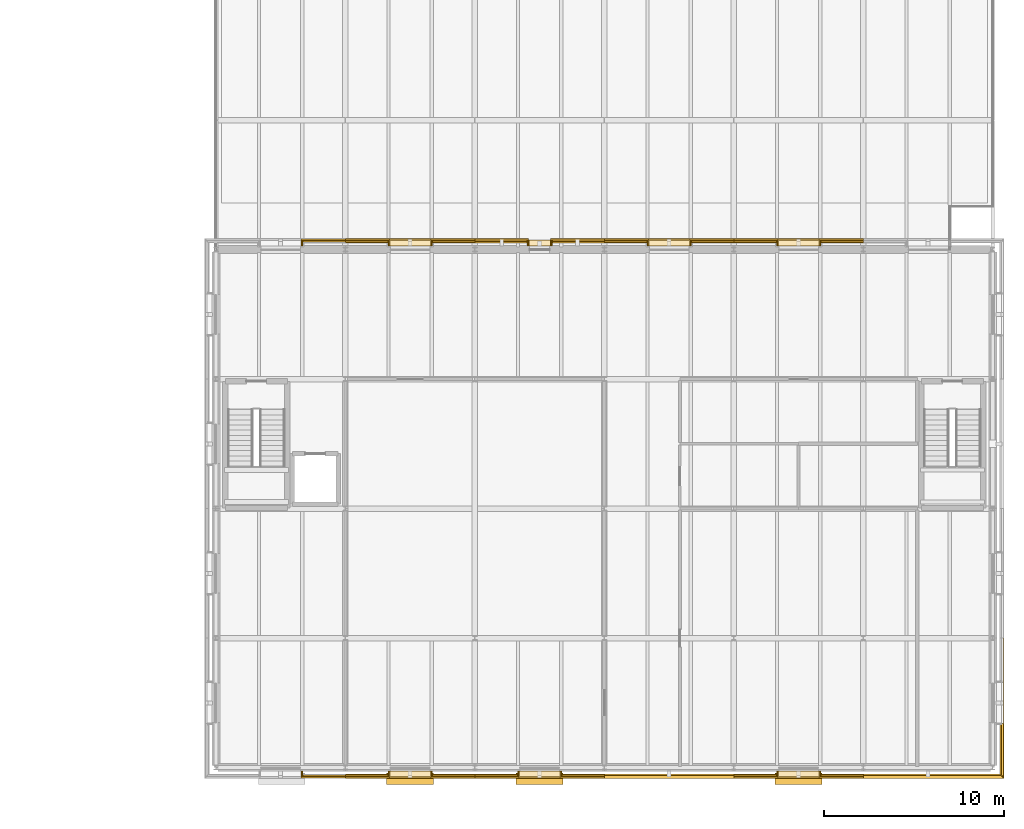
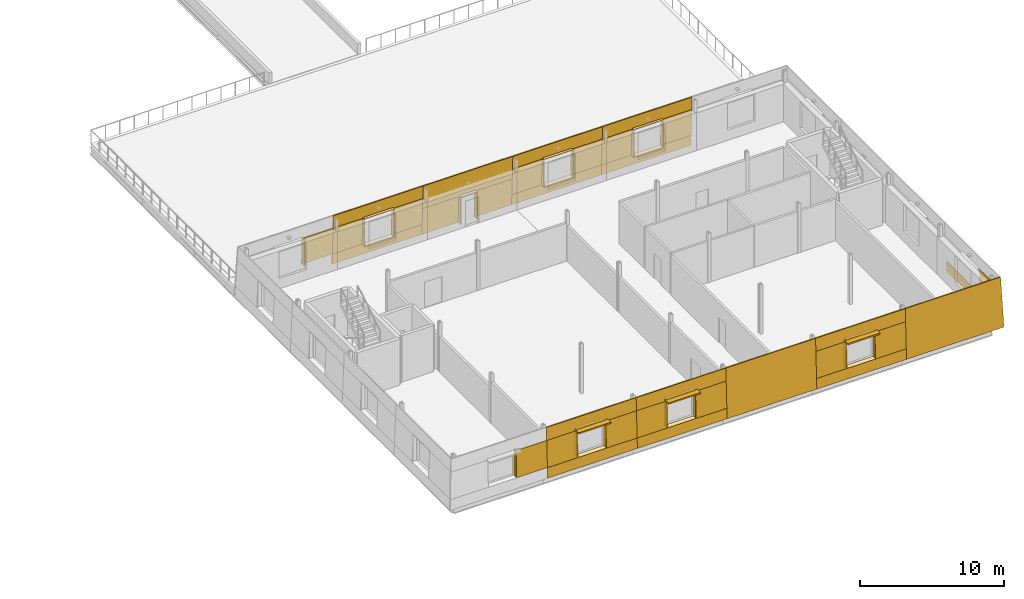
# One storey, part 109 of 115: 62 coverings, 3 shading devices.
"""IFC4 building model written with IfcOpenShell, lengths in metres."""

from ifc_helpers import new_model, si_unit, direction, frame, origin, origin_2d, place, context, subcontext, project, spatial, polyline, rectangle, outline, extrude, material, layer, layer_set, type_object, element, save


model = new_model("IFC4")

# Units and contexts
model_context = context("Model", 3, precision=1e-05, world=origin(), true_north=direction((0.0, 1.0)))
body_context = subcontext(model_context, "Body", "Model", "MODEL_VIEW")
ifc_project = project(units=[si_unit("LENGTHUNIT", "METRE"), si_unit("AREAUNIT", "SQUARE_METRE"), si_unit("VOLUMEUNIT", "CUBIC_METRE"), si_unit("PLANEANGLEUNIT", "RADIAN"), si_unit("MASSUNIT", "GRAM", prefix="KILO")], contexts=[model_context])

# Site, building, storey
site_placement = place(None, origin())
site = spatial("IfcSite", under=ifc_project, at=site_placement, CompositionType="ELEMENT")
building_placement = place(site_placement, origin())
building = spatial("IfcBuilding", under=site, at=building_placement, Name="Narikvali Park Central Library", CompositionType="ELEMENT")
storey_placement = place(building_placement, frame((0.0, 0.0, 10.199951171875)))
storey = spatial("IfcBuildingStorey", under=building, at=storey_placement, Name="L02", CompositionType="ELEMENT", Elevation=10.199951171875)

# Coverings
ifc_material_1 = material(Name="White Honed Limestone Cladding", Category="masonry")
ifc_layer_1 = layer(ifc_material_1, 0.0849609375, Name="White Honed Limestone Cladding")
ifc_layer_set_1 = layer_set([ifc_layer_1], Name="White Honed Limestone Cladding")
covering_type_1 = type_object("IfcCoveringType", Name="Battered White Limestone Facade Cladding Panel", PredefinedType="CLADDING", material=ifc_layer_set_1)
covering_1_placement = place(storey_placement, frame((127.139892578125, -0.5869140625, 0.8701171875), z_axis=(0.0, -0.999164352475, 0.040872934124), x_axis=(1.0, 0.0, 0.0)))
element("IfcCovering", 1, at=covering_1_placement, inside=storey, type_object=covering_type_1, Name="V6 L02 S Battered Limestone Jamb Pier R B01", PredefinedType="CLADDING", context=body_context, shape_type="SweptSolid", body=[
    extrude(outline(polyline([(0.0, 0.0), (2.460205078125, 0.0), (2.460205078125, 2.2518817794363186), (0.0, 2.2518817794363186), (0.0, 0.0)])), origin(), (0.0, 0.0, -1.0), 0.0849609375),
])
covering_2_placement = place(storey_placement, frame((129.60009765625, -0.62255859375, 0.0), z_axis=(0.0, -0.999161980475, 0.040930877988), x_axis=(1.0, 0.0, 0.0)))
element("IfcCovering", 2, at=covering_2_placement, inside=storey, type_object=covering_type_1, Name="V6 L02 S Battered Limestone Spandrel B02", PredefinedType="CLADDING", context=body_context, shape_type="SweptSolid", body=[
    extrude(outline(polyline([(0.0, 0.0), (7.199951171875, 0.0), (7.199951171875, 0.8708469742675473), (0.0, 0.8708469742675473), (0.0, 0.0)])), origin(), (0.0, 0.0, -1.0), 0.0849609375),
])
covering_3_placement = place(storey_placement, frame((129.60009765625, -0.494873046875, 3.1201171875), z_axis=(0.0, -0.99916372671, 0.040888228473), x_axis=(1.0, 0.0, 0.0)))
element("IfcCovering", 3, at=covering_3_placement, inside=storey, type_object=covering_type_1, Name="V6 L02 S Battered Limestone Lintel B02", PredefinedType="CLADDING", context=body_context, shape_type="SweptSolid", body=[
    extrude(outline(polyline([(0.0, 0.0), (7.199951171875, 0.0), (7.199951171875, 1.0807377765113397), (0.0, 1.0807377765113397), (0.0, 0.0)])), origin(), (0.0, 0.0, -1.0), 0.0849609375),
])
for number, where, z_axis, x_axis, name in (
    (4, (129.60009765625, -0.5869140625, 0.8701171875), (0.0, -0.999164352475, 0.040872934124), (1.0, 0.0, 0.0), "V6 L02 S Battered Limestone Jamb Pier L B02"),
    (5, (134.340087890625, -0.5869140625, 0.8701171875), (0.0, -0.999164352475, 0.040872934124), (1.0, 0.0, 0.0), "V6 L02 S Battered Limestone Jamb Pier R B02"),
):
    element("IfcCovering", number, at=place(storey_placement, frame(where, z_axis=z_axis, x_axis=x_axis)), inside=storey, type_object=covering_type_1, Name=name, PredefinedType="CLADDING", context=body_context, shape_type="SweptSolid", body=[
        extrude(outline(polyline([(0.0, 0.0), (2.4599609375, 0.0), (2.4599609375, 2.251881779436319), (0.0, 2.251881779436319), (0.0, 0.0)])), origin(), (0.0, 0.0, -1.0), 0.0849609375),
    ])
covering_4_placement = place(storey_placement, frame((136.800048828125, -0.62255859375, 0.0), z_axis=(0.0, -0.999161980475, 0.040930877988), x_axis=(1.0, 0.0, 0.0)))
element("IfcCovering", 6, at=covering_4_placement, inside=storey, type_object=covering_type_1, Name="V6 L02 S Battered Limestone Spandrel B03", PredefinedType="CLADDING", context=body_context, shape_type="SweptSolid", body=[
    extrude(outline(polyline([(0.0, 0.0), (7.199951171875, 0.0), (7.199951171875, 0.8708469742675473), (0.0, 0.8708469742675473), (0.0, 0.0)])), origin(), (0.0, 0.0, -1.0), 0.0849609375),
])
covering_5_placement = place(storey_placement, frame((136.800048828125, -0.494873046875, 3.1201171875), z_axis=(0.0, -0.99916372671, 0.040888228473), x_axis=(1.0, 0.0, 0.0)))
element("IfcCovering", 7, at=covering_5_placement, inside=storey, type_object=covering_type_1, Name="V6 L02 S Battered Limestone Lintel B03", PredefinedType="CLADDING", context=body_context, shape_type="SweptSolid", body=[
    extrude(outline(polyline([(0.0, 0.0), (7.199951171875, 0.0), (7.199951171875, 1.0807377765113397), (0.0, 1.0807377765113397), (0.0, 0.0)])), origin(), (0.0, 0.0, -1.0), 0.0849609375),
])
for number, where, z_axis, x_axis, name in (
    (8, (136.800048828125, -0.5869140625, 0.8701171875), (0.0, -0.999164352475, 0.040872934124), (1.0, 0.0, 0.0), "V6 L02 S Battered Limestone Jamb Pier L B03"),
    (9, (141.5400390625, -0.5869140625, 0.8701171875), (0.0, -0.999164352475, 0.040872934124), (1.0, 0.0, 0.0), "V6 L02 S Battered Limestone Jamb Pier R B03"),
):
    element("IfcCovering", number, at=place(storey_placement, frame(where, z_axis=z_axis, x_axis=x_axis)), inside=storey, type_object=covering_type_1, Name=name, PredefinedType="CLADDING", context=body_context, shape_type="SweptSolid", body=[
        extrude(outline(polyline([(0.0, 0.0), (2.4599609375, 0.0), (2.4599609375, 2.251881779436319), (0.0, 2.251881779436319), (0.0, 0.0)])), origin(), (0.0, 0.0, -1.0), 0.0849609375),
    ])
covering_6_placement = place(storey_placement, frame((144.0, -0.62255859375, 0.0), z_axis=(0.0, -0.999163700422, 0.040888870842), x_axis=(1.0, 0.0, 0.0)))
element("IfcCovering", 10, at=covering_6_placement, inside=storey, type_object=covering_type_1, Name="V6 L02 S Battered Limestone Panel B04", PredefinedType="CLADDING", context=body_context, shape_type="SweptSolid", body=[
    extrude(outline(polyline([(0.0, 0.0), (7.199951171875, 0.0), (7.199951171875, 4.203466529158902), (0.0, 4.203466529158902), (0.0, 0.0)])), origin(), (0.0, 0.0, -1.0), 0.0849609375),
])
covering_7_placement = place(storey_placement, frame((151.199951171875, -0.62255859375, 0.0), z_axis=(0.0, -0.999161980475, 0.040930877988), x_axis=(1.0, 0.0, 0.0)))
element("IfcCovering", 11, at=covering_7_placement, inside=storey, type_object=covering_type_1, Name="V6 L02 S Battered Limestone Spandrel B05", PredefinedType="CLADDING", context=body_context, shape_type="SweptSolid", body=[
    extrude(outline(polyline([(0.0, 0.0), (7.199951171875, 0.0), (7.199951171875, 0.8708469742675473), (0.0, 0.8708469742675473), (0.0, 0.0)])), origin(), (0.0, 0.0, -1.0), 0.0849609375),
])
covering_8_placement = place(storey_placement, frame((151.199951171875, -0.494873046875, 3.1201171875), z_axis=(0.0, -0.99916372671, 0.040888228473), x_axis=(1.0, 0.0, 0.0)))
element("IfcCovering", 12, at=covering_8_placement, inside=storey, type_object=covering_type_1, Name="V6 L02 S Battered Limestone Lintel B05", PredefinedType="CLADDING", context=body_context, shape_type="SweptSolid", body=[
    extrude(outline(polyline([(0.0, 0.0), (7.199951171875, 0.0), (7.199951171875, 1.0807377765113397), (0.0, 1.0807377765113397), (0.0, 0.0)])), origin(), (0.0, 0.0, -1.0), 0.0849609375),
])
for number, where, z_axis, x_axis, name in (
    (13, (151.199951171875, -0.5869140625, 0.8701171875), (0.0, -0.999164352475, 0.040872934124), (1.0, 0.0, 0.0), "V6 L02 S Battered Limestone Jamb Pier L B05"),
    (14, (155.93994140625, -0.5869140625, 0.8701171875), (0.0, -0.999164352475, 0.040872934124), (1.0, 0.0, 0.0), "V6 L02 S Battered Limestone Jamb Pier R B05"),
):
    element("IfcCovering", number, at=place(storey_placement, frame(where, z_axis=z_axis, x_axis=x_axis)), inside=storey, type_object=covering_type_1, Name=name, PredefinedType="CLADDING", context=body_context, shape_type="SweptSolid", body=[
        extrude(outline(polyline([(0.0, 0.0), (2.4599609375, 0.0), (2.4599609375, 2.251881779436319), (0.0, 2.251881779436319), (0.0, 0.0)])), origin(), (0.0, 0.0, -1.0), 0.0849609375),
    ])
covering_9_placement = place(storey_placement, frame((158.39990234375, -0.62255859375, 0.0), z_axis=(0.0, -0.999163700422, 0.040888870842), x_axis=(1.0, 0.0, 0.0)))
element("IfcCovering", 15, at=covering_9_placement, inside=storey, type_object=covering_type_1, Name="V6 L02 S Battered Limestone Panel B06", PredefinedType="CLADDING", context=body_context, shape_type="SweptSolid", body=[
    extrude(outline(polyline([(0.0, 0.0), (7.82275390625, 0.0), (7.65087890625, 4.203466529158903), (0.0, 4.203466529158903), (0.0, 0.0)])), origin(), (0.0, 0.0, -1.0), 0.0849609375),
])
covering_10_placement = place(storey_placement, frame((166.22265625, -0.53759765625, 0.0), z_axis=(0.999161980475, 0.0, 0.040930877988), x_axis=(0.0, 1.0, 0.0)))
element("IfcCovering", 16, at=covering_10_placement, inside=storey, type_object=covering_type_1, Name="V6 L02 E Battered Limestone Spandrel B01", PredefinedType="CLADDING", context=body_context, shape_type="SweptSolid", body=[
    extrude(outline(polyline([(0.0, 0.0), (7.737548828125, 0.0), (7.737548828125, 0.8708469742675473), (0.03564453125, 0.8708469742675473), (0.0, 0.0)])), origin(), (0.0, 0.0, -1.0), 0.0849609375),
])
covering_11_placement = place(storey_placement, frame((166.18701171875, -0.501953125, 0.8701171875), z_axis=(0.999164352475, 0.0, 0.040872934124), x_axis=(0.0, 1.0, 0.0)))
element("IfcCovering", 17, at=covering_11_placement, inside=storey, type_object=covering_type_1, Name="V6 L02 E Battered Limestone Jamb Pier L B01", PredefinedType="CLADDING", context=body_context, shape_type="SweptSolid", body=[
    extrude(outline(polyline([(0.0, 0.0), (2.9619140625, 0.0), (2.9619140625, 2.251881779436319), (0.092041015625, 2.251881779436319), (0.0, 0.0)])), origin(), (0.0, 0.0, -1.0), 0.0849609375),
])
covering_12_placement = place(storey_placement, frame((158.39990234375, 29.422607421875, 0.0), z_axis=(0.0, 0.999161980475, 0.040930877988), x_axis=(-1.0, 0.0, 0.0)))
element("IfcCovering", 18, at=covering_12_placement, inside=storey, type_object=covering_type_1, Name="V6 L02 N Battered Limestone Spandrel B02", PredefinedType="CLADDING", context=body_context, shape_type="SweptSolid", body=[
    extrude(outline(polyline([(0.0, 0.0), (7.199951171875, 0.0), (7.199951171875, 0.8708469742675473), (0.0, 0.8708469742675473), (0.0, 0.0)])), origin(), (0.0, 0.0, -1.0), 0.0849609375),
])
covering_13_placement = place(storey_placement, frame((158.39990234375, 29.294921875, 3.1201171875), z_axis=(0.0, 0.99916372671, 0.040888228473), x_axis=(-1.0, 0.0, 0.0)))
element("IfcCovering", 19, at=covering_13_placement, inside=storey, type_object=covering_type_1, Name="V6 L02 N Battered Limestone Lintel B02", PredefinedType="CLADDING", context=body_context, shape_type="SweptSolid", body=[
    extrude(outline(polyline([(0.0, 0.0), (7.199951171875, 0.0), (7.199951171875, 1.0807377765113397), (0.0, 1.0807377765113397), (0.0, 0.0)])), origin(), (0.0, 0.0, -1.0), 0.0849609375),
])
for number, where, z_axis, x_axis, name in (
    (20, (158.39990234375, 29.386962890625, 0.8701171875), (0.0, 0.999164352475, 0.040872934124), (-1.0, 0.0, 0.0), "V6 L02 N Battered Limestone Jamb Pier L B02"),
    (21, (153.659912109375, 29.386962890625, 0.8701171875), (0.0, 0.999164352475, 0.040872934124), (-1.0, 0.0, 0.0), "V6 L02 N Battered Limestone Jamb Pier R B02"),
):
    element("IfcCovering", number, at=place(storey_placement, frame(where, z_axis=z_axis, x_axis=x_axis)), inside=storey, type_object=covering_type_1, Name=name, PredefinedType="CLADDING", context=body_context, shape_type="SweptSolid", body=[
        extrude(outline(polyline([(0.0, 0.0), (2.4599609375, 0.0), (2.4599609375, 2.251881779436319), (0.0, 2.251881779436319), (0.0, 0.0)])), origin(), (0.0, 0.0, -1.0), 0.0849609375),
    ])
covering_14_placement = place(storey_placement, frame((151.199951171875, 29.422607421875, 0.0), z_axis=(0.0, 0.999161980475, 0.040930877988), x_axis=(-1.0, 0.0, 0.0)))
element("IfcCovering", 22, at=covering_14_placement, inside=storey, type_object=covering_type_1, Name="V6 L02 N Battered Limestone Spandrel B03", PredefinedType="CLADDING", context=body_context, shape_type="SweptSolid", body=[
    extrude(outline(polyline([(0.0, 0.0), (7.199951171875, 0.0), (7.199951171875, 0.8708469742675473), (0.0, 0.8708469742675473), (0.0, 0.0)])), origin(), (0.0, 0.0, -1.0), 0.0849609375),
])
covering_15_placement = place(storey_placement, frame((151.199951171875, 29.294921875, 3.1201171875), z_axis=(0.0, 0.99916372671, 0.040888228473), x_axis=(-1.0, 0.0, 0.0)))
element("IfcCovering", 23, at=covering_15_placement, inside=storey, type_object=covering_type_1, Name="V6 L02 N Battered Limestone Lintel B03", PredefinedType="CLADDING", context=body_context, shape_type="SweptSolid", body=[
    extrude(outline(polyline([(0.0, 0.0), (7.199951171875, 0.0), (7.199951171875, 1.0807377765113397), (0.0, 1.0807377765113397), (0.0, 0.0)])), origin(), (0.0, 0.0, -1.0), 0.0849609375),
])
for number, where, z_axis, x_axis, name in (
    (24, (151.199951171875, 29.386962890625, 0.8701171875), (0.0, 0.999164352475, 0.040872934124), (-1.0, 0.0, 0.0), "V6 L02 N Battered Limestone Jamb Pier L B03"),
    (25, (146.4599609375, 29.386962890625, 0.8701171875), (0.0, 0.999164352475, 0.040872934124), (-1.0, 0.0, 0.0), "V6 L02 N Battered Limestone Jamb Pier R B03"),
):
    element("IfcCovering", number, at=place(storey_placement, frame(where, z_axis=z_axis, x_axis=x_axis)), inside=storey, type_object=covering_type_1, Name=name, PredefinedType="CLADDING", context=body_context, shape_type="SweptSolid", body=[
        extrude(outline(polyline([(0.0, 0.0), (2.4599609375, 0.0), (2.4599609375, 2.251881779436319), (0.0, 2.251881779436319), (0.0, 0.0)])), origin(), (0.0, 0.0, -1.0), 0.0849609375),
    ])
for number, where, z_axis, x_axis, name in (
    (26, (144.0, 29.422607421875, 0.0), (0.0, 0.999161338046, 0.040946557287), (-1.0, 0.0, 0.0), "V6 L02 N Battered Portal Pier L B04"),
    (27, (139.7900390625, 29.422607421875, 0.0), (0.0, 0.999161338046, 0.040946557287), (-1.0, 0.0, 0.0), "V6 L02 N Battered Portal Pier R B04"),
):
    element("IfcCovering", number, at=place(storey_placement, frame(where, z_axis=z_axis, x_axis=x_axis)), inside=storey, type_object=covering_type_1, Name=name, PredefinedType="CLADDING", context=body_context, shape_type="SweptSolid", body=[
        extrude(outline(polyline([(0.0, 0.0), (2.989990234375, 0.0), (2.989990234375, 2.2418704057895793), (0.0, 2.2418704057895793), (0.0, 0.0)])), origin(), (0.0, 0.0, -1.0), 0.0849609375),
    ])
covering_16_placement = place(storey_placement, frame((144.0, 29.330810546875, 2.239990234375), z_axis=(0.0, 0.999166396258, 0.04082294195), x_axis=(-1.0, 0.0, 0.0)))
element("IfcCovering", 28, at=covering_16_placement, inside=storey, type_object=covering_type_1, Name="V6 L02 N Battered Portal Header B04", PredefinedType="CLADDING", context=body_context, shape_type="SweptSolid", body=[
    extrude(outline(polyline([(0.0, 0.0), (7.199951171875, 0.0), (7.199951171875, 1.9615961313760268), (0.0, 1.9615961313760268), (0.0, 0.0)])), origin(), (0.0, 0.0, -1.0), 0.0849609375),
])
covering_17_placement = place(storey_placement, frame((136.800048828125, 29.422607421875, 0.0), z_axis=(0.0, 0.999161980475, 0.040930877988), x_axis=(-1.0, 0.0, 0.0)))
element("IfcCovering", 29, at=covering_17_placement, inside=storey, type_object=covering_type_1, Name="V6 L02 N Battered Limestone Spandrel B05", PredefinedType="CLADDING", context=body_context, shape_type="SweptSolid", body=[
    extrude(outline(polyline([(0.0, 0.0), (7.199951171875, 0.0), (7.199951171875, 0.8708469742675473), (0.0, 0.8708469742675473), (0.0, 0.0)])), origin(), (0.0, 0.0, -1.0), 0.0849609375),
])
covering_18_placement = place(storey_placement, frame((136.800048828125, 29.294921875, 3.1201171875), z_axis=(0.0, 0.99916372671, 0.040888228473), x_axis=(-1.0, 0.0, 0.0)))
element("IfcCovering", 30, at=covering_18_placement, inside=storey, type_object=covering_type_1, Name="V6 L02 N Battered Limestone Lintel B05", PredefinedType="CLADDING", context=body_context, shape_type="SweptSolid", body=[
    extrude(outline(polyline([(0.0, 0.0), (7.199951171875, 0.0), (7.199951171875, 1.0807377765113397), (0.0, 1.0807377765113397), (0.0, 0.0)])), origin(), (0.0, 0.0, -1.0), 0.0849609375),
])
for number, where, z_axis, x_axis, name in (
    (31, (136.800048828125, 29.386962890625, 0.8701171875), (0.0, 0.999164352475, 0.040872934124), (-1.0, 0.0, 0.0), "V6 L02 N Battered Limestone Jamb Pier L B05"),
    (32, (132.06005859375, 29.386962890625, 0.8701171875), (0.0, 0.999164352475, 0.040872934124), (-1.0, 0.0, 0.0), "V6 L02 N Battered Limestone Jamb Pier R B05"),
):
    element("IfcCovering", number, at=place(storey_placement, frame(where, z_axis=z_axis, x_axis=x_axis)), inside=storey, type_object=covering_type_1, Name=name, PredefinedType="CLADDING", context=body_context, shape_type="SweptSolid", body=[
        extrude(outline(polyline([(0.0, 0.0), (2.4599609375, 0.0), (2.4599609375, 2.251881779436319), (0.0, 2.251881779436319), (0.0, 0.0)])), origin(), (0.0, 0.0, -1.0), 0.0849609375),
    ])
covering_19_placement = place(storey_placement, frame((129.60009765625, 29.386962890625, 0.8701171875), z_axis=(0.0, 0.999164352475, 0.040872934124), x_axis=(-1.0, 0.0, 0.0)))
element("IfcCovering", 33, at=covering_19_placement, inside=storey, type_object=covering_type_1, Name="V6 L02 N Battered Limestone Jamb Pier L B06", PredefinedType="CLADDING", context=body_context, shape_type="SweptSolid", body=[
    extrude(outline(polyline([(0.0, 0.0), (2.460205078125, 0.0), (2.460205078125, 2.2518817794363186), (0.0, 2.2518817794363186), (0.0, 0.0)])), origin(), (0.0, 0.0, -1.0), 0.0849609375),
])

# Shading devices
ifc_material_2 = material(Name="Anodised Bronze Aluminium", Category="aluminium")
ifc_layer_2 = layer(ifc_material_2, 0.1201171875, Name="Anodised Bronze Aluminium")
ifc_layer_set_2 = layer_set([ifc_layer_2], Name="Anodised Bronze Aluminium")
shading_device_type = type_object("IfcShadingDeviceType", Name="Bronze Classical Cornice Sun Brise-Soleil 650", PredefinedType="SHUTTER", material=ifc_layer_set_2)
for number, where, z_axis, x_axis, name in (
    (34, (133.199951171875, -0.614990234375, 3.119873046875), (0.0, 0.0, 1.0), (1.0, 0.0, 0.0), "V6 L02 Classical Bronze Brise-Soleil 02"),
    (35, (140.39990234375, -0.614990234375, 3.119873046875), (0.0, 0.0, 1.0), (1.0, 0.0, 0.0), "V6 L02 Classical Bronze Brise-Soleil 03"),
    (36, (154.800048828125, -0.614990234375, 3.119873046875), (0.0, 0.0, 1.0), (1.0, 0.0, 0.0), "V6 L02 Classical Bronze Brise-Soleil 05"),
):
    element("IfcShadingDevice", number, at=place(storey_placement, frame(where, z_axis=z_axis, x_axis=x_axis)), inside=storey, type_object=shading_device_type, Name=name, PredefinedType="SHUTTER", context=body_context, shape_type="SweptSolid", body=[
        extrude(rectangle(XDim=2.60009765625, YDim=0.64990234375, at=origin_2d()), origin(), (0.0, 0.0, 1.0), 0.1201171875),
    ])

# Coverings
ifc_layer_3 = layer(ifc_material_1, 0.080078125, Name="White Honed Limestone Cladding")
ifc_layer_set_3 = layer_set([ifc_layer_3], Name="White Honed Limestone Cladding")
covering_type_2 = type_object("IfcCoveringType", Name="Deep Carved White Limestone Window Reveal", PredefinedType="CLADDING", material=ifc_layer_set_3)
covering_20_placement = place(storey_placement, frame((0.0, 0.0, 0.8701171875)))
element("IfcCovering", 37, at=covering_20_placement, inside=storey, type_object=covering_type_2, Name="Deep Stone Reveal Jamb R V6-RVL-L02-S-B01", PredefinedType="CLADDING", context=body_context, shape_type="SweptSolid", body=[
    extrude(outline(polyline([(127.139892578125, -0.205078125), (127.219970703125, -0.205078125), (127.219970703125, -0.494873046875), (127.139892578125, -0.494873046875), (127.139892578125, -0.205078125)])), origin(), (0.0, 0.0, 1.0), 2.25),
])
covering_21_placement = place(storey_placement, frame((0.0, 0.0, 3.1201171875)))
element("IfcCovering", 38, at=covering_21_placement, inside=storey, type_object=covering_type_2, Name="Deep Stone Reveal Head V6-RVL-L02-S-B02", PredefinedType="CLADDING", context=body_context, shape_type="SweptSolid", body=[
    extrude(outline(polyline([(132.02001953125, -0.205078125), (134.3798828125, -0.205078125), (134.3798828125, -0.494873046875), (132.02001953125, -0.494873046875), (132.02001953125, -0.205078125)])), origin(), (0.0, 0.0, 1.0), 0.079833984375),
])
covering_22_placement = place(storey_placement, frame((0.0, 0.0, 0.7900390625)))
element("IfcCovering", 39, at=covering_22_placement, inside=storey, type_object=covering_type_2, Name="Deep Stone Reveal Sill V6-RVL-L02-S-B02", PredefinedType="CLADDING", context=body_context, shape_type="SweptSolid", body=[
    extrude(outline(polyline([(132.02001953125, -0.205078125), (134.3798828125, -0.205078125), (134.3798828125, -0.5869140625), (132.02001953125, -0.5869140625), (132.02001953125, -0.205078125)])), origin(), (0.0, 0.0, 1.0), 0.080078125),
])
covering_23_placement = place(storey_placement, frame((0.0, 0.0, 0.8701171875)))
element("IfcCovering", 40, at=covering_23_placement, inside=storey, type_object=covering_type_2, Name="Deep Stone Reveal Jamb L V6-RVL-L02-S-B02", PredefinedType="CLADDING", context=body_context, shape_type="SweptSolid", body=[
    extrude(outline(polyline([(131.97998046875, -0.205078125), (132.06005859375, -0.205078125), (132.06005859375, -0.494873046875), (131.97998046875, -0.494873046875), (131.97998046875, -0.205078125)])), origin(), (0.0, 0.0, 1.0), 2.25),
])
covering_24_placement = place(storey_placement, frame((0.0, 0.0, 0.8701171875)))
element("IfcCovering", 41, at=covering_24_placement, inside=storey, type_object=covering_type_2, Name="Deep Stone Reveal Jamb R V6-RVL-L02-S-B02", PredefinedType="CLADDING", context=body_context, shape_type="SweptSolid", body=[
    extrude(outline(polyline([(134.340087890625, -0.205078125), (134.419921875, -0.205078125), (134.419921875, -0.494873046875), (134.340087890625, -0.494873046875), (134.340087890625, -0.205078125)])), origin(), (0.0, 0.0, 1.0), 2.25),
])
covering_25_placement = place(storey_placement, frame((0.0, 0.0, 3.1201171875)))
element("IfcCovering", 42, at=covering_25_placement, inside=storey, type_object=covering_type_2, Name="Deep Stone Reveal Head V6-RVL-L02-S-B03", PredefinedType="CLADDING", context=body_context, shape_type="SweptSolid", body=[
    extrude(outline(polyline([(139.219970703125, -0.205078125), (141.580078125, -0.205078125), (141.580078125, -0.494873046875), (139.219970703125, -0.494873046875), (139.219970703125, -0.205078125)])), origin(), (0.0, 0.0, 1.0), 0.079833984375),
])
covering_26_placement = place(storey_placement, frame((0.0, 0.0, 0.7900390625)))
element("IfcCovering", 43, at=covering_26_placement, inside=storey, type_object=covering_type_2, Name="Deep Stone Reveal Sill V6-RVL-L02-S-B03", PredefinedType="CLADDING", context=body_context, shape_type="SweptSolid", body=[
    extrude(outline(polyline([(139.219970703125, -0.205078125), (141.580078125, -0.205078125), (141.580078125, -0.5869140625), (139.219970703125, -0.5869140625), (139.219970703125, -0.205078125)])), origin(), (0.0, 0.0, 1.0), 0.080078125),
])
covering_27_placement = place(storey_placement, frame((0.0, 0.0, 0.8701171875)))
element("IfcCovering", 44, at=covering_27_placement, inside=storey, type_object=covering_type_2, Name="Deep Stone Reveal Jamb L V6-RVL-L02-S-B03", PredefinedType="CLADDING", context=body_context, shape_type="SweptSolid", body=[
    extrude(outline(polyline([(139.179931640625, -0.205078125), (139.260009765625, -0.205078125), (139.260009765625, -0.494873046875), (139.179931640625, -0.494873046875), (139.179931640625, -0.205078125)])), origin(), (0.0, 0.0, 1.0), 2.25),
])
covering_28_placement = place(storey_placement, frame((0.0, 0.0, 0.8701171875)))
element("IfcCovering", 45, at=covering_28_placement, inside=storey, type_object=covering_type_2, Name="Deep Stone Reveal Jamb R V6-RVL-L02-S-B03", PredefinedType="CLADDING", context=body_context, shape_type="SweptSolid", body=[
    extrude(outline(polyline([(141.5400390625, -0.205078125), (141.6201171875, -0.205078125), (141.6201171875, -0.494873046875), (141.5400390625, -0.494873046875), (141.5400390625, -0.205078125)])), origin(), (0.0, 0.0, 1.0), 2.25),
])
covering_29_placement = place(storey_placement, frame((0.0, 0.0, 3.1201171875)))
element("IfcCovering", 46, at=covering_29_placement, inside=storey, type_object=covering_type_2, Name="Deep Stone Reveal Head V6-RVL-L02-S-B05", PredefinedType="CLADDING", context=body_context, shape_type="SweptSolid", body=[
    extrude(outline(polyline([(153.6201171875, -0.205078125), (155.97998046875, -0.205078125), (155.97998046875, -0.494873046875), (153.6201171875, -0.494873046875), (153.6201171875, -0.205078125)])), origin(), (0.0, 0.0, 1.0), 0.079833984375),
])
covering_30_placement = place(storey_placement, frame((0.0, 0.0, 0.7900390625)))
element("IfcCovering", 47, at=covering_30_placement, inside=storey, type_object=covering_type_2, Name="Deep Stone Reveal Sill V6-RVL-L02-S-B05", PredefinedType="CLADDING", context=body_context, shape_type="SweptSolid", body=[
    extrude(outline(polyline([(153.6201171875, -0.205078125), (155.97998046875, -0.205078125), (155.97998046875, -0.5869140625), (153.6201171875, -0.5869140625), (153.6201171875, -0.205078125)])), origin(), (0.0, 0.0, 1.0), 0.080078125),
])
covering_31_placement = place(storey_placement, frame((0.0, 0.0, 0.8701171875)))
element("IfcCovering", 48, at=covering_31_placement, inside=storey, type_object=covering_type_2, Name="Deep Stone Reveal Jamb L V6-RVL-L02-S-B05", PredefinedType="CLADDING", context=body_context, shape_type="SweptSolid", body=[
    extrude(outline(polyline([(153.580078125, -0.205078125), (153.659912109375, -0.205078125), (153.659912109375, -0.494873046875), (153.580078125, -0.494873046875), (153.580078125, -0.205078125)])), origin(), (0.0, 0.0, 1.0), 2.25),
])
covering_32_placement = place(storey_placement, frame((0.0, 0.0, 0.8701171875)))
element("IfcCovering", 49, at=covering_32_placement, inside=storey, type_object=covering_type_2, Name="Deep Stone Reveal Jamb R V6-RVL-L02-S-B05", PredefinedType="CLADDING", context=body_context, shape_type="SweptSolid", body=[
    extrude(outline(polyline([(155.93994140625, -0.205078125), (156.02001953125, -0.205078125), (156.02001953125, -0.494873046875), (155.93994140625, -0.494873046875), (155.93994140625, -0.205078125)])), origin(), (0.0, 0.0, 1.0), 2.25),
])
covering_33_placement = place(storey_placement, frame((0.0, 0.0, 3.1201171875)))
element("IfcCovering", 50, at=covering_33_placement, inside=storey, type_object=covering_type_2, Name="Deep Stone Reveal Head V6-RVL-L02-N-B02", PredefinedType="CLADDING", context=body_context, shape_type="SweptSolid", body=[
    extrude(outline(polyline([(155.97998046875, 29.0048828125), (153.6201171875, 29.0048828125), (153.6201171875, 29.294921875), (155.97998046875, 29.294921875), (155.97998046875, 29.0048828125)])), origin(), (0.0, 0.0, 1.0), 0.079833984375),
])
covering_34_placement = place(storey_placement, frame((0.0, 0.0, 0.7900390625)))
element("IfcCovering", 51, at=covering_34_placement, inside=storey, type_object=covering_type_2, Name="Deep Stone Reveal Sill V6-RVL-L02-N-B02", PredefinedType="CLADDING", context=body_context, shape_type="SweptSolid", body=[
    extrude(outline(polyline([(155.97998046875, 29.0048828125), (153.6201171875, 29.0048828125), (153.6201171875, 29.386962890625), (155.97998046875, 29.386962890625), (155.97998046875, 29.0048828125)])), origin(), (0.0, 0.0, 1.0), 0.080078125),
])
covering_35_placement = place(storey_placement, frame((0.0, 0.0, 0.8701171875)))
element("IfcCovering", 52, at=covering_35_placement, inside=storey, type_object=covering_type_2, Name="Deep Stone Reveal Jamb L V6-RVL-L02-N-B02", PredefinedType="CLADDING", context=body_context, shape_type="SweptSolid", body=[
    extrude(outline(polyline([(156.02001953125, 29.0048828125), (155.93994140625, 29.0048828125), (155.93994140625, 29.294921875), (156.02001953125, 29.294921875), (156.02001953125, 29.0048828125)])), origin(), (0.0, 0.0, 1.0), 2.25),
])
covering_36_placement = place(storey_placement, frame((0.0, 0.0, 0.8701171875)))
element("IfcCovering", 53, at=covering_36_placement, inside=storey, type_object=covering_type_2, Name="Deep Stone Reveal Jamb R V6-RVL-L02-N-B02", PredefinedType="CLADDING", context=body_context, shape_type="SweptSolid", body=[
    extrude(outline(polyline([(153.659912109375, 29.0048828125), (153.580078125, 29.0048828125), (153.580078125, 29.294921875), (153.659912109375, 29.294921875), (153.659912109375, 29.0048828125)])), origin(), (0.0, 0.0, 1.0), 2.25),
])
covering_37_placement = place(storey_placement, frame((0.0, 0.0, 3.1201171875)))
element("IfcCovering", 54, at=covering_37_placement, inside=storey, type_object=covering_type_2, Name="Deep Stone Reveal Head V6-RVL-L02-N-B03", PredefinedType="CLADDING", context=body_context, shape_type="SweptSolid", body=[
    extrude(outline(polyline([(148.780029296875, 29.0048828125), (146.419921875, 29.0048828125), (146.419921875, 29.294921875), (148.780029296875, 29.294921875), (148.780029296875, 29.0048828125)])), origin(), (0.0, 0.0, 1.0), 0.079833984375),
])
covering_38_placement = place(storey_placement, frame((0.0, 0.0, 0.7900390625)))
element("IfcCovering", 55, at=covering_38_placement, inside=storey, type_object=covering_type_2, Name="Deep Stone Reveal Sill V6-RVL-L02-N-B03", PredefinedType="CLADDING", context=body_context, shape_type="SweptSolid", body=[
    extrude(outline(polyline([(148.780029296875, 29.0048828125), (146.419921875, 29.0048828125), (146.419921875, 29.386962890625), (148.780029296875, 29.386962890625), (148.780029296875, 29.0048828125)])), origin(), (0.0, 0.0, 1.0), 0.080078125),
])
covering_39_placement = place(storey_placement, frame((0.0, 0.0, 0.8701171875)))
element("IfcCovering", 56, at=covering_39_placement, inside=storey, type_object=covering_type_2, Name="Deep Stone Reveal Jamb L V6-RVL-L02-N-B03", PredefinedType="CLADDING", context=body_context, shape_type="SweptSolid", body=[
    extrude(outline(polyline([(148.820068359375, 29.0048828125), (148.739990234375, 29.0048828125), (148.739990234375, 29.294921875), (148.820068359375, 29.294921875), (148.820068359375, 29.0048828125)])), origin(), (0.0, 0.0, 1.0), 2.25),
])
covering_40_placement = place(storey_placement, frame((0.0, 0.0, 0.8701171875)))
element("IfcCovering", 57, at=covering_40_placement, inside=storey, type_object=covering_type_2, Name="Deep Stone Reveal Jamb R V6-RVL-L02-N-B03", PredefinedType="CLADDING", context=body_context, shape_type="SweptSolid", body=[
    extrude(outline(polyline([(146.4599609375, 29.0048828125), (146.3798828125, 29.0048828125), (146.3798828125, 29.294921875), (146.4599609375, 29.294921875), (146.4599609375, 29.0048828125)])), origin(), (0.0, 0.0, 1.0), 2.25),
])
covering_41_placement = place(storey_placement, frame((0.0, 0.0, 2.239990234375)))
element("IfcCovering", 58, at=covering_41_placement, inside=storey, type_object=covering_type_2, Name="Deep Stone Reveal Head V6-RVL-L02-N-B04", PredefinedType="CLADDING", context=body_context, shape_type="SweptSolid", body=[
    extrude(outline(polyline([(141.050048828125, 29.0048828125), (139.75, 29.0048828125), (139.75, 29.330810546875), (141.050048828125, 29.330810546875), (141.050048828125, 29.0048828125)])), origin(), (0.0, 0.0, 1.0), 0.080078125),
])
covering_42_placement = place(storey_placement, frame((0.0, 0.0, 0.02001953125)))
element("IfcCovering", 59, at=covering_42_placement, inside=storey, type_object=covering_type_2, Name="Deep Stone Reveal Jamb L V6-RVL-L02-N-B04", PredefinedType="CLADDING", context=body_context, shape_type="SweptSolid", body=[
    extrude(outline(polyline([(141.090087890625, 29.0048828125), (141.010009765625, 29.0048828125), (141.010009765625, 29.330810546875), (141.090087890625, 29.330810546875), (141.090087890625, 29.0048828125)])), origin(), (0.0, 0.0, 1.0), 2.219970703125),
])
covering_43_placement = place(storey_placement, frame((0.0, 0.0, 0.02001953125)))
element("IfcCovering", 60, at=covering_43_placement, inside=storey, type_object=covering_type_2, Name="Deep Stone Reveal Jamb R V6-RVL-L02-N-B04", PredefinedType="CLADDING", context=body_context, shape_type="SweptSolid", body=[
    extrude(outline(polyline([(139.7900390625, 29.0048828125), (139.7099609375, 29.0048828125), (139.7099609375, 29.330810546875), (139.7900390625, 29.330810546875), (139.7900390625, 29.0048828125)])), origin(), (0.0, 0.0, 1.0), 2.219970703125),
])
covering_44_placement = place(storey_placement, frame((0.0, 0.0, 3.1201171875)))
element("IfcCovering", 61, at=covering_44_placement, inside=storey, type_object=covering_type_2, Name="Deep Stone Reveal Head V6-RVL-L02-N-B05", PredefinedType="CLADDING", context=body_context, shape_type="SweptSolid", body=[
    extrude(outline(polyline([(134.3798828125, 29.0048828125), (132.02001953125, 29.0048828125), (132.02001953125, 29.294921875), (134.3798828125, 29.294921875), (134.3798828125, 29.0048828125)])), origin(), (0.0, 0.0, 1.0), 0.079833984375),
])
covering_45_placement = place(storey_placement, frame((0.0, 0.0, 0.7900390625)))
element("IfcCovering", 62, at=covering_45_placement, inside=storey, type_object=covering_type_2, Name="Deep Stone Reveal Sill V6-RVL-L02-N-B05", PredefinedType="CLADDING", context=body_context, shape_type="SweptSolid", body=[
    extrude(outline(polyline([(134.3798828125, 29.0048828125), (132.02001953125, 29.0048828125), (132.02001953125, 29.386962890625), (134.3798828125, 29.386962890625), (134.3798828125, 29.0048828125)])), origin(), (0.0, 0.0, 1.0), 0.080078125),
])
covering_46_placement = place(storey_placement, frame((0.0, 0.0, 0.8701171875)))
element("IfcCovering", 63, at=covering_46_placement, inside=storey, type_object=covering_type_2, Name="Deep Stone Reveal Jamb L V6-RVL-L02-N-B05", PredefinedType="CLADDING", context=body_context, shape_type="SweptSolid", body=[
    extrude(outline(polyline([(134.419921875, 29.0048828125), (134.340087890625, 29.0048828125), (134.340087890625, 29.294921875), (134.419921875, 29.294921875), (134.419921875, 29.0048828125)])), origin(), (0.0, 0.0, 1.0), 2.25),
])
covering_47_placement = place(storey_placement, frame((0.0, 0.0, 0.8701171875)))
element("IfcCovering", 64, at=covering_47_placement, inside=storey, type_object=covering_type_2, Name="Deep Stone Reveal Jamb R V6-RVL-L02-N-B05", PredefinedType="CLADDING", context=body_context, shape_type="SweptSolid", body=[
    extrude(outline(polyline([(132.06005859375, 29.0048828125), (131.97998046875, 29.0048828125), (131.97998046875, 29.294921875), (132.06005859375, 29.294921875), (132.06005859375, 29.0048828125)])), origin(), (0.0, 0.0, 1.0), 2.25),
])
covering_48_placement = place(storey_placement, frame((0.0, 0.0, 0.8701171875)))
element("IfcCovering", 65, at=covering_48_placement, inside=storey, type_object=covering_type_2, Name="Deep Stone Reveal Jamb L V6-RVL-L02-N-B06", PredefinedType="CLADDING", context=body_context, shape_type="SweptSolid", body=[
    extrude(outline(polyline([(127.219970703125, 29.0048828125), (127.139892578125, 29.0048828125), (127.139892578125, 29.294921875), (127.219970703125, 29.294921875), (127.219970703125, 29.0048828125)])), origin(), (0.0, 0.0, 1.0), 2.25),
])

save(model, "model.ifc")
